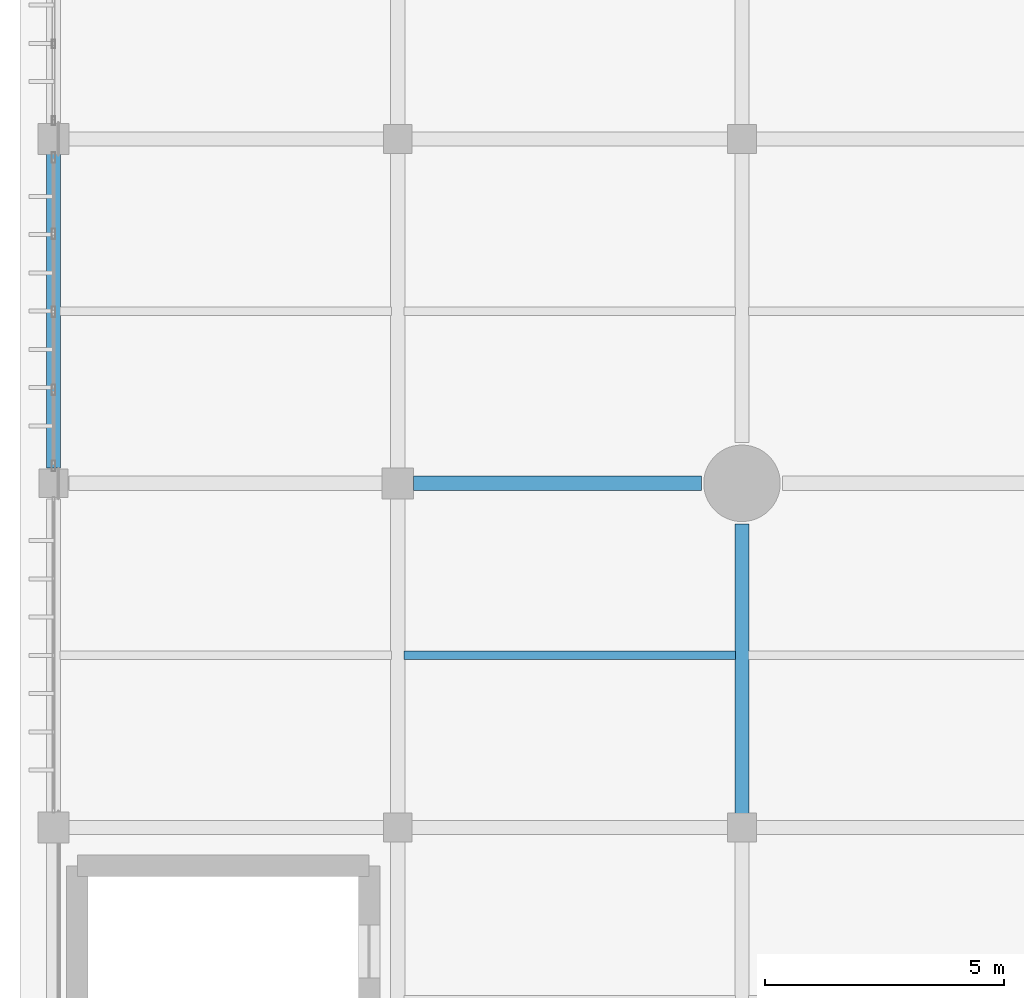
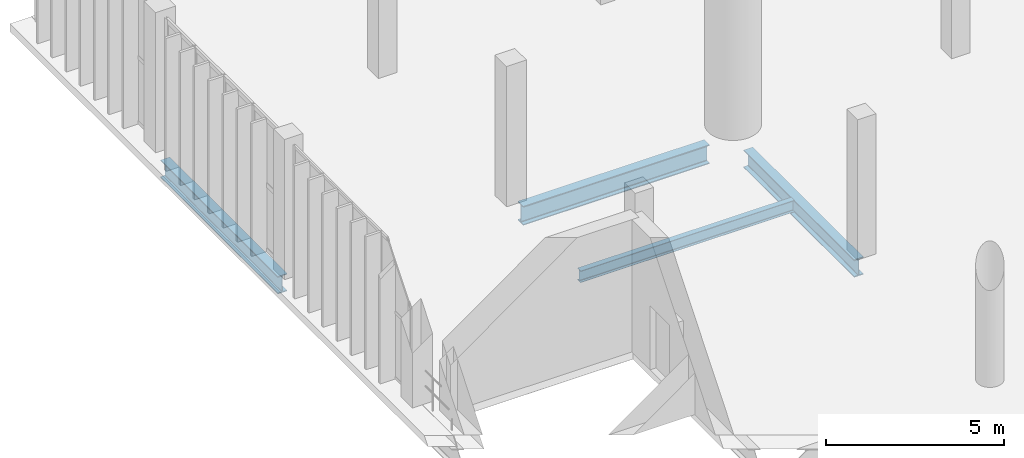
# One storey, part 42 of 105: 4 beams.
"""IFC4 building model written with IfcOpenShell, lengths in metres."""

from ifc_helpers import new_model, si_unit, direction, frame, origin, origin_2d, place, context, subcontext, project, spatial, i_section, extrude, material, material_profile, profile_set, type_object, element, save


model = new_model("IFC4")

# Units and contexts
model_context = context("Model", 3, precision=1e-05, world=origin(), true_north=direction((0.0, 1.0)))
body_context = subcontext(model_context, "Body", "Model", "MODEL_VIEW")
ifc_project = project(units=[si_unit("LENGTHUNIT", "METRE"), si_unit("AREAUNIT", "SQUARE_METRE"), si_unit("VOLUMEUNIT", "CUBIC_METRE"), si_unit("PLANEANGLEUNIT", "RADIAN"), si_unit("MASSUNIT", "GRAM", prefix="KILO")], contexts=[model_context])

# Site, building, storey
site_placement = place(None, origin())
site = spatial("IfcSite", under=ifc_project, at=site_placement, CompositionType="ELEMENT")
building_placement = place(site_placement, origin())
building = spatial("IfcBuilding", under=site, at=building_placement, Name="Qandorah Velis Arena", CompositionType="ELEMENT")
storey_placement = place(building_placement, frame((0.0, 0.0, 13.800048828125)))
storey = spatial("IfcBuildingStorey", under=building, at=storey_placement, Name="L03", CompositionType="ELEMENT", Elevation=13.800048828125)

# Beams
ifc_material = material(Name="Steel S355", Category="steel")
ifc_material_profile_1 = material_profile(ifc_material, i_section(OverallWidth=0.300048828125, OverallDepth=0.60009765625, WebThickness=0.015380859375, FlangeThickness=0.030029296875, FilletRadius=0.027099609375, at=origin_2d()), Name="HEB 600")
ifc_profile_set_1 = profile_set([ifc_material_profile_1], Name="Steel S355")
beam_type_1 = type_object("IfcBeamType", Name="STR-BM-HEB600", PredefinedType="BEAM", material=ifc_profile_set_1)
beam_1_placement = place(storey_placement, frame((0.0, 101.125, -0.6201171875), z_axis=(0.0, 1.0, 0.0), x_axis=(-1.0, 0.0, 0.0)))
element("IfcBeam", 1, at=beam_1_placement, inside=storey, type_object=beam_type_1, Name="Primary floor girder L03 Y-190", PredefinedType="BEAM", context=body_context, shape_type="SweptSolid", body=[
    extrude(i_section(OverallWidth=0.300048828125, OverallDepth=0.60009765625, WebThickness=0.015380859375, FlangeThickness=0.030029296875, FilletRadius=0.027099609375, at=origin_2d()), origin(), (0.0, 0.0, 1.0), 6.574951171875),
])
beam_2_placement = place(storey_placement, frame((14.39990234375, 93.75, -0.6201171875), z_axis=(0.0, 1.0, 0.0), x_axis=(-1.0, 0.0, 0.0)))
element("IfcBeam", 2, at=beam_2_placement, inside=storey, type_object=beam_type_1, Name="Primary floor girder L03 Y-217", PredefinedType="BEAM", context=body_context, shape_type="SweptSolid", body=[
    extrude(i_section(OverallWidth=0.300048828125, OverallDepth=0.60009765625, WebThickness=0.015380859375, FlangeThickness=0.030029296875, FilletRadius=0.027099609375, at=origin_2d()), origin(), (0.0, 0.0, 1.0), 6.199951171875),
])
ifc_material_profile_2 = material_profile(ifc_material, i_section(OverallWidth=0.300048828125, OverallDepth=0.64990234375, WebThickness=0.01611328125, FlangeThickness=0.031005859375, FilletRadius=0.027099609375, at=origin_2d()), Name="HEB 650")
ifc_profile_set_2 = profile_set([ifc_material_profile_2], Name="Steel S355")
beam_type_2 = type_object("IfcBeamType", Name="STR-BM-HEB650", PredefinedType="BEAM", material=ifc_profile_set_2)
beam_3_placement = place(storey_placement, frame((7.52490234375, 100.800048828125, -0.64501953125), z_axis=(1.0, 0.0, 0.0), x_axis=(0.0, 1.0, 0.0)))
element("IfcBeam", 3, at=beam_3_placement, inside=storey, type_object=beam_type_2, Name="Primary floor girder L03 X-117", PredefinedType="BEAM", context=body_context, shape_type="SweptSolid", body=[
    extrude(i_section(OverallWidth=0.300048828125, OverallDepth=0.64990234375, WebThickness=0.01611328125, FlangeThickness=0.031005859375, FilletRadius=0.027099609375, at=origin_2d()), origin(), (0.0, 0.0, 1.0), 6.025146484375),
])
ifc_material_profile_3 = material_profile(ifc_material, i_section(OverallWidth=0.179931640625, OverallDepth=0.39990234375, WebThickness=0.008544921875, FlangeThickness=0.013427734375, FilletRadius=0.02099609375, at=origin_2d()), Name="IPE 400")
ifc_profile_set_3 = profile_set([ifc_material_profile_3], Name="Steel S355")
beam_type_3 = type_object("IfcBeamType", Name="STR-JST-IPE400", PredefinedType="JOIST", material=ifc_profile_set_3)
beam_4_placement = place(storey_placement, frame((7.3349609375, 97.199951171875, -0.52001953125), z_axis=(1.0, 0.0, 0.0), x_axis=(0.0, 1.0, 0.0)))
element("IfcBeam", 4, at=beam_4_placement, inside=storey, type_object=beam_type_3, Name="Secondary floor joist L03-022", PredefinedType="JOIST", context=body_context, shape_type="SweptSolid", body=[
    extrude(i_section(OverallWidth=0.179931640625, OverallDepth=0.39990234375, WebThickness=0.008544921875, FlangeThickness=0.013427734375, FilletRadius=0.02099609375, at=origin_2d()), origin(), (0.0, 0.0, 1.0), 6.929931640625),
])

save(model, "model.ifc")
